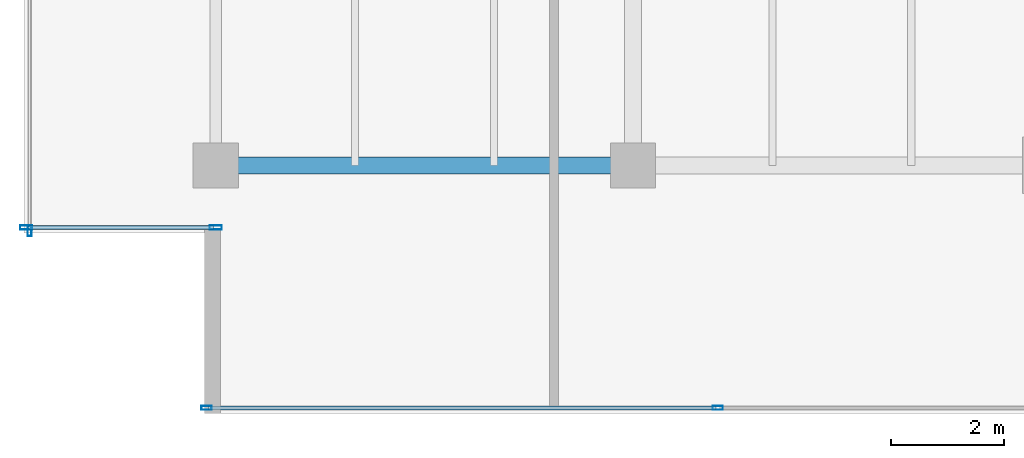
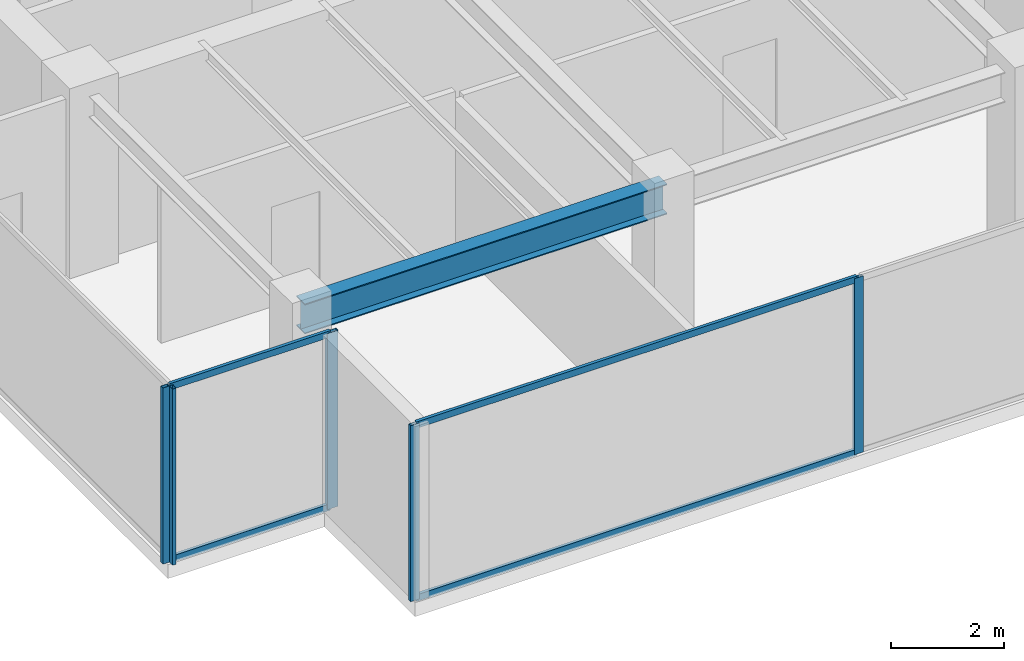
# One storey, part 5 of 33: 9 members, 1 beam, 3 elements without a shape of their own.
"""IFC4 building model written with IfcOpenShell, lengths in metres."""

import ifcopenshell
import ifcopenshell.guid

model = None  # the IFC model being written
_history = None  # IfcOwnerHistory: only IFC2X3 demands one
_inside = {}  # id of a spatial element -> (the spatial element, [elements in it])
_under = {}  # id of a project, library or spatial element -> (it, [spatial elements below it])
_declared = {}  # id of a project -> (the project, [libraries it declares])
_typed = {}  # id of a type object -> (the type object, [elements of that type])
_made_of = {}  # id of a material, layer set ... -> (it, [elements and type objects made of it])


def new_model(schema):
    """Start an empty IFC model of exactly this schema.

    Asked for "IFC4X3", IfcOpenShell would pick the latest addendum, in which some entities
    have other attributes; the version numbers below select the first issue.
    IFC2X3 requires an IfcOwnerHistory on every rooted entity: one is made here for all.
    """
    global model, _history
    if schema == "IFC4X3":
        model = ifcopenshell.file(schema_version=(4, 3, 0, 0))
    else:
        model = ifcopenshell.file(schema=schema)
    _inside.clear()
    _under.clear()
    _declared.clear()
    _typed.clear()
    _made_of.clear()
    _history = None
    if model.schema == "IFC2X3":
        org = make("IfcOrganization", Name="unknown")
        user = make(
            "IfcPersonAndOrganization",
            ThePerson=make("IfcPerson", FamilyName="unknown"),
            TheOrganization=org,
        )
        app = make(
            "IfcApplication",
            ApplicationDeveloper=org,
            Version="unknown",
            ApplicationFullName="unknown",
            ApplicationIdentifier="unknown",
        )
        _history = make(
            "IfcOwnerHistory",
            OwningUser=user,
            OwningApplication=app,
            ChangeAction="ADDED",
            CreationDate=0,
        )
    return model


def make(cls, **values):
    """One entity of the class cls with the attributes given. An attribute that is None is left unset."""
    return model.create_entity(
        cls, **{name: value for name, value in values.items() if value is not None}
    )


def rooted(cls, **values):
    """An entity with a GlobalId (a new one), such as an element, a storey or a relation."""
    return make(cls, GlobalId=ifcopenshell.guid.new(), OwnerHistory=_history, **values)


def si_unit(unit_type, name, prefix=None):
    """IfcSIUnit, for example si_unit("LENGTHUNIT", "METRE", prefix="MILLI")."""
    return make("IfcSIUnit", UnitType=unit_type, Prefix=prefix, Name=name)


def assignment(units):
    """IfcUnitAssignment: the units of a project."""
    return None if units is None else make("IfcUnitAssignment", Units=units)


def point(xyz):
    """IfcCartesianPoint."""
    return None if xyz is None else make("IfcCartesianPoint", Coordinates=xyz)


def direction(xyz):
    """IfcDirection."""
    return None if xyz is None else make("IfcDirection", DirectionRatios=xyz)


def frame(location, z_axis=None, x_axis=None):
    """IfcAxis2Placement3D, a coordinate frame: its origin and axes. An axis left out is left unset."""
    return make(
        "IfcAxis2Placement3D",
        Location=point(location),
        Axis=direction(z_axis),
        RefDirection=direction(x_axis),
    )


def frame_2d(location, x_axis=None):
    """IfcAxis2Placement2D, a coordinate frame in the plane: its origin and x axis."""
    return make(
        "IfcAxis2Placement2D", Location=point(location), RefDirection=direction(x_axis)
    )


def origin():
    """The frame at (0, 0, 0) with its axes left unset."""
    return frame((0.0, 0.0, 0.0))


def origin_2d():
    """The frame at (0, 0) in the plane with its x axis left unset."""
    return frame_2d((0.0, 0.0))


def place(relative_to, where):
    """IfcLocalPlacement: puts the frame where relative to a parent placement (None: the world)."""
    return make(
        "IfcLocalPlacement", PlacementRelTo=relative_to, RelativePlacement=where
    )


def context(
    kind, dimensions, precision=None, world=None, true_north=None, identifier=None
):
    """IfcGeometricRepresentationContext, for example the 3D "Model" context."""
    return make(
        "IfcGeometricRepresentationContext",
        ContextIdentifier=identifier,
        ContextType=kind,
        CoordinateSpaceDimension=dimensions,
        Precision=precision,
        WorldCoordinateSystem=world,
        TrueNorth=true_north,
    )


def subcontext(parent, identifier, kind, view, scale=None):
    """IfcGeometricRepresentationSubContext, for example "Body" below "Model"."""
    return make(
        "IfcGeometricRepresentationSubContext",
        ContextIdentifier=identifier,
        ContextType=kind,
        ParentContext=parent,
        TargetScale=scale,
        TargetView=view,
    )


def project(units=None, contexts=None):
    """IfcProject with its units and contexts."""
    return rooted(
        "IfcProject",
        Name="project",
        RepresentationContexts=contexts,
        UnitsInContext=assignment(units),
    )


def spatial(cls, under=None, at=None, **own):
    """A site, building, storey or space (cls), placed at a placement, below another one or the project."""
    s = rooted(cls, ObjectPlacement=at, **own)
    if under is not None:
        _under.setdefault(under.id(), (under, []))[1].append(s)
    return s


def profile(cls, at=None, kind="AREA", **sizes):
    """A parametric profile (cls). Its sizes go by their IFC names, for example OverallWidth=200.0."""
    return make(cls, ProfileType=kind, Position=at, **sizes)


def hollow_rectangle(**sizes):
    """IfcRectangleHollowProfileDef."""
    return profile("IfcRectangleHollowProfileDef", **sizes)


def i_section(**sizes):
    """IfcIShapeProfileDef."""
    return profile("IfcIShapeProfileDef", **sizes)


def extrude(swept, where, along, depth):
    """IfcExtrudedAreaSolid: the profile swept, set in the frame where, extruded along a direction by depth."""
    return make(
        "IfcExtrudedAreaSolid",
        SweptArea=swept,
        Position=where,
        ExtrudedDirection=direction(along),
        Depth=depth,
    )


def shape(context_of_items, identifier, shape_type, items):
    """IfcShapeRepresentation: the items that make up one representation, for example the "Body"."""
    return make(
        "IfcShapeRepresentation",
        ContextOfItems=context_of_items,
        RepresentationIdentifier=identifier,
        RepresentationType=shape_type,
        Items=items,
    )


def source(mapping_origin, context_of_items, identifier, shape_type, items):
    """IfcRepresentationMap: a shape defined once, which mapped items show again and again."""
    return make(
        "IfcRepresentationMap",
        MappingOrigin=mapping_origin,
        MappedRepresentation=shape(context_of_items, identifier, shape_type, items),
    )


def transform(
    local_origin,
    x_axis=None,
    y_axis=None,
    z_axis=None,
    scale=None,
    scale2=None,
    scale3=None,
    uniform=True,
):
    """IfcCartesianTransformationOperator3D, or its non-uniform kind. x_axis, y_axis, z_axis: its Axis1, 2, 3."""
    if uniform:
        return make(
            "IfcCartesianTransformationOperator3D",
            Axis1=direction(x_axis),
            Axis2=direction(y_axis),
            LocalOrigin=point(local_origin),
            Scale=scale,
            Axis3=direction(z_axis),
        )
    return make(
        "IfcCartesianTransformationOperator3DnonUniform",
        Axis1=direction(x_axis),
        Axis2=direction(y_axis),
        LocalOrigin=point(local_origin),
        Scale=scale,
        Axis3=direction(z_axis),
        Scale2=scale2,
        Scale3=scale3,
    )


def mapped(mapping_source, mapping_target):
    """IfcMappedItem: shows the shape of a source again, moved by a transform."""
    return make(
        "IfcMappedItem", MappingSource=mapping_source, MappingTarget=mapping_target
    )


def material(Name=None, Category=None):
    """IfcMaterial."""
    return make("IfcMaterial", Name=Name, Category=Category)


def layer(
    of_material, thickness, ventilated=None, Name=None, Category=None, Priority=None
):
    """IfcMaterialLayer: one layer of a wall or slab, of a material (None: an air gap)."""
    return make(
        "IfcMaterialLayer",
        Material=of_material,
        LayerThickness=thickness,
        IsVentilated=ventilated,
        Name=Name,
        Category=Category,
        Priority=Priority,
    )


def layer_set(layers, Name=None):
    """IfcMaterialLayerSet."""
    return make("IfcMaterialLayerSet", MaterialLayers=layers, LayerSetName=Name)


def material_profile(
    of_material, cross_section, Name=None, Category=None, Priority=None
):
    """IfcMaterialProfile: a cross section and its material."""
    return make(
        "IfcMaterialProfile",
        Name=Name,
        Material=of_material,
        Profile=cross_section,
        Priority=Priority,
        Category=Category,
    )


def profile_set(profiles, Name=None, composite=None):
    """IfcMaterialProfileSet."""
    return make(
        "IfcMaterialProfileSet",
        Name=Name,
        MaterialProfiles=profiles,
        CompositeProfile=composite,
    )


def made_of(thing, what):
    """Note that an element or type object is made of a material, layer set ...; save() writes the relation."""
    if what is not None:
        _made_of.setdefault(what.id(), (what, []))[1].append(thing)
    return thing


def type_object(cls, material=None, **own):
    """A type object (cls), such as IfcWallType, which elements share."""
    return made_of(rooted(cls, **own), material)


def type_shapes(of_type, sources):
    """Give a type object the sources (RepresentationMaps) that its elements show as mapped items."""
    of_type.RepresentationMaps = sources


def element(
    cls,
    number,
    at=None,
    inside=None,
    cuts=None,
    type_object=None,
    material=None,
    context=None,
    identifier="Body",
    shape_type=None,
    held_by="IfcProductDefinitionShape",
    body=None,
    shapes=None,
    **own,
):
    """One element of the class cls, such as IfcWall. Its Tag is "e" and its number.

    at: its placement. inside: the storey or other place that contains it. cuts: it is an
    opening in that element (IfcRelVoidsElement). A single representation is given by context,
    identifier, shape_type and body (its items); several are given by shapes. held_by: the class
    of the entity that holds the representations. save() writes the other relations.
    """
    e = rooted(cls, Tag="e%d" % number, ObjectPlacement=at, **own)
    if body is not None:
        shapes = [shape(context, identifier, shape_type, body)]
    if shapes is not None:
        e.Representation = make(held_by, Representations=shapes)
    if inside is not None:
        _inside.setdefault(inside.id(), (inside, []))[1].append(e)
    if cuts is not None:
        rooted(
            "IfcRelVoidsElement", RelatingBuildingElement=cuts, RelatedOpeningElement=e
        )
    if type_object is not None:
        _typed.setdefault(type_object.id(), (type_object, []))[1].append(e)
    return made_of(e, material)


def aggregate(whole, parts):
    """IfcRelAggregates: a whole, such as a stair, and the parts it consists of."""
    return rooted("IfcRelAggregates", RelatingObject=whole, RelatedObjects=parts)


def save(model, path):
    """Write the relations noted so far, then the file.

    IfcRelAggregates (storeys below a building ...), IfcRelContainedInSpatialStructure (elements
    in a storey), IfcRelDefinesByType, IfcRelAssociatesMaterial and IfcRelDeclares: one each for
    every whole, place, type object, material and project.
    """
    for whole, parts in _under.values():
        aggregate(whole, parts)
    for where, things in _inside.values():
        rooted(
            "IfcRelContainedInSpatialStructure",
            RelatedElements=things,
            RelatingStructure=where,
        )
    for kind, things in _typed.values():
        rooted("IfcRelDefinesByType", RelatedObjects=things, RelatingType=kind)
    for what, things in _made_of.values():
        rooted("IfcRelAssociatesMaterial", RelatedObjects=things, RelatingMaterial=what)
    for by, libraries in _declared.values():
        rooted("IfcRelDeclares", RelatingContext=by, RelatedDefinitions=libraries)
    model.write(path)


model = new_model("IFC4")

# Units and contexts
model_context = context("Model", 3, precision=1e-05, world=origin(), true_north=direction((0.0, 1.0)))
body_context = subcontext(model_context, "Body", "Model", "MODEL_VIEW")
ifc_project = project(units=[si_unit("LENGTHUNIT", "METRE"), si_unit("AREAUNIT", "SQUARE_METRE"), si_unit("VOLUMEUNIT", "CUBIC_METRE"), si_unit("PLANEANGLEUNIT", "RADIAN"), si_unit("MASSUNIT", "GRAM", prefix="KILO")], contexts=[model_context])

# Site, building, storey
site_placement = place(None, origin())
site = spatial("IfcSite", under=ifc_project, at=site_placement, CompositionType="ELEMENT")
building_placement = place(site_placement, origin())
building = spatial("IfcBuilding", under=site, at=building_placement, Name="Haelvirn Gate Laboratories", CompositionType="ELEMENT")
storey_placement = place(building_placement, frame((0.0, 0.0, 267.0)))
storey = spatial("IfcBuildingStorey", under=building, at=storey_placement, Name="L64", CompositionType="ELEMENT", Elevation=267.0)

# Beam
ifc_material_1 = material(Name="Steel SM355", Category="steel")
ifc_material_profile_1 = material_profile(ifc_material_1, i_section(OverallWidth=0.300048828125, OverallDepth=0.64990234375, WebThickness=0.012939453125, FlangeThickness=0.02197265625, at=origin_2d()), Name="H-650x300x13x22")
ifc_profile_set_1 = profile_set([ifc_material_profile_1], Name="Steel SM355")
beam_type = type_object("IfcBeamType", Name="BM-G-650", PredefinedType="BEAM", material=ifc_profile_set_1)
shared_shape_1 = source(origin(), body_context, "Body", "SweptSolid", [
    extrude(i_section(OverallWidth=0.300048828125, OverallDepth=0.64990234375, WebThickness=0.012939453125, FlangeThickness=0.02197265625, at=origin_2d()), origin(), (0.0, 0.0, 1.0), 7.400146484375),
])
type_shapes(beam_type, [shared_shape_1])
beam_placement = place(storey_placement, frame((7.39990234375, 7.0, 3.47509765625), z_axis=(1.0, 0.0, 0.0), x_axis=(0.0, 1.0, 0.0)))
element("IfcBeam", 1, at=beam_placement, inside=storey, type_object=beam_type, Name="L64 Primary Girder Y7.0 (7.4-14.8)", PredefinedType="BEAM", context=body_context, shape_type="MappedRepresentation", body=[
    mapped(shared_shape_1, transform((0.0, 0.0, 0.0), scale=1.0)),
])

# Curtain wall, members
ifc_material_2 = material(Name="Anodised bronze unitised aluminium & triple low-E glass", Category="aluminium")
ifc_layer_1 = layer(ifc_material_2, 0.181884765625, Name="CW-SYS-5")
ifc_layer_set_1 = layer_set([ifc_layer_1], Name="Anodised bronze unitised aluminium & triple low-E glass")
curtain_wall_type_1 = type_object("IfcCurtainWallType", Name="CW-SYS-5", PredefinedType="NOTDEFINED", material=ifc_layer_set_1)
curtain_wall_1_placement = place(storey_placement, origin())
curtain_wall_1 = element("IfcCurtainWall", 2, at=curtain_wall_1_placement, inside=storey, type_object=curtain_wall_type_1, Name="L64 Unitised Curtain Wall CW-L64-P0-E18-1", PredefinedType="NOTDEFINED")
ifc_material_3 = material(Name="Extruded aluminium 6063-T6 (anodised bronze)", Category="aluminium")
ifc_material_profile_2 = material_profile(ifc_material_3, hollow_rectangle(XDim=0.06494140625, YDim=0.139892578125, WallThickness=0.00390625, at=origin_2d()), Name="CWT-140x65x4")
ifc_profile_set_2 = profile_set([ifc_material_profile_2], Name="Extruded aluminium 6063-T6 (anodised bronze)")
member_type_1 = type_object("IfcMemberType", Name="CWT-T140", PredefinedType="USERDEFINED", material=ifc_profile_set_2)
shared_shape_2 = source(origin(), body_context, "Body", "SweptSolid", [
    extrude(hollow_rectangle(XDim=0.06494140625, YDim=0.139892578125, WallThickness=0.00390625, at=origin_2d()), origin(), (0.0, 0.0, 1.0), 3.280029296875),
])
member_1_placement = place(storey_placement, frame((4.080078125, 5.89990234375, 0.032470703125), z_axis=(1.0, 0.0, 0.0), x_axis=(0.0, 1.0, 0.0)))
member_1 = element("IfcMember", 3, at=member_1_placement, type_object=member_type_1, Name="CW5 transom 1.1", ObjectType="TRANSOM", PredefinedType="USERDEFINED", context=body_context, shape_type="MappedRepresentation", body=[
    mapped(shared_shape_2, transform((0.0, 0.0, 0.0), scale=1.0)),
])
member_2_placement = place(storey_placement, frame((4.080078125, 5.89990234375, 3.767578125), z_axis=(1.0, 0.0, 0.0), x_axis=(0.0, 1.0, 0.0)))
member_2 = element("IfcMember", 4, at=member_2_placement, type_object=member_type_1, Name="CW5 transom 1.2", ObjectType="TRANSOM", PredefinedType="USERDEFINED", context=body_context, shape_type="MappedRepresentation", body=[
    mapped(shared_shape_2, transform((0.0, 0.0, 0.0), scale=1.0)),
])

ifc_layer_2 = layer(ifc_material_2, 0.176025390625, Name="CW-SYS-4")
ifc_layer_set_2 = layer_set([ifc_layer_2], Name="Anodised bronze unitised aluminium & triple low-E glass")
curtain_wall_type_2 = type_object("IfcCurtainWallType", Name="CW-SYS-4", PredefinedType="NOTDEFINED", material=ifc_layer_set_2)
curtain_wall_2_placement = place(storey_placement, origin())
curtain_wall_2 = element("IfcCurtainWall", 5, at=curtain_wall_2_placement, inside=storey, type_object=curtain_wall_type_2, Name="L64 Unitised Curtain Wall CW-L64-P0-E00-1", PredefinedType="NOTDEFINED")
ifc_material_profile_3 = material_profile(ifc_material_3, hollow_rectangle(XDim=0.070068359375, YDim=0.179931640625, WallThickness=0.0048828125, at=origin_2d()), Name="CWM-180x70x5")
ifc_profile_set_3 = profile_set([ifc_material_profile_3], Name="Extruded aluminium 6063-T6 (anodised bronze)")
member_type_2 = type_object("IfcMemberType", Name="CWM-T180", PredefinedType="MULLION", material=ifc_profile_set_3)
shared_shape_3 = source(origin(), body_context, "Body", "SweptSolid", [
    extrude(hollow_rectangle(XDim=0.070068359375, YDim=0.179931640625, WallThickness=0.0048828125, at=origin_2d()), origin(), (0.0, 0.0, 1.0), 3.800048828125),
])
type_shapes(member_type_2, [shared_shape_3])
member_3_placement = place(storey_placement, frame((7.235107421875, 2.699951171875, 0.0), z_axis=(0.0, 0.0, 1.0), x_axis=(0.0, 1.0, 0.0)))
member_3 = element("IfcMember", 6, at=member_3_placement, type_object=member_type_2, Name="CW4 mullion 1", PredefinedType="MULLION", context=body_context, shape_type="MappedRepresentation", body=[
    mapped(shared_shape_3, transform((0.0, 0.0, 0.0), scale=1.0)),
])
member_4_placement = place(storey_placement, frame((16.300048828125, 2.699951171875, 0.0), z_axis=(0.0, 0.0, 1.0), x_axis=(0.0, 1.0, 0.0)))
member_4 = element("IfcMember", 7, at=member_4_placement, type_object=member_type_2, Name="CW4 mullion 2", PredefinedType="MULLION", context=body_context, shape_type="MappedRepresentation", body=[
    mapped(shared_shape_3, transform((0.0, 0.0, 0.0), scale=1.0)),
])

# Curtain wall, member
curtain_wall_3_placement = place(storey_placement, origin())
curtain_wall_3 = element("IfcCurtainWall", 8, at=curtain_wall_3_placement, inside=storey, type_object=curtain_wall_type_2, Name="L64 Unitised Curtain Wall CW-L64-P0-E17", PredefinedType="NOTDEFINED")
member_5_placement = place(storey_placement, frame((4.10009765625, 5.8349609375, 0.0), z_axis=(0.0, 0.0, 1.0), x_axis=(1.0, 0.0, 0.0)))
member_5 = element("IfcMember", 9, at=member_5_placement, type_object=member_type_2, Name="CW4 mullion 3", PredefinedType="MULLION", context=body_context, shape_type="MappedRepresentation", body=[
    mapped(shared_shape_3, transform((0.0, 0.0, 0.0), scale=1.0)),
])
aggregate(curtain_wall_3, [member_5])

# Member
shared_shape_4 = source(origin(), body_context, "Body", "SweptSolid", [
    extrude(hollow_rectangle(XDim=0.06494140625, YDim=0.139892578125, WallThickness=0.00390625, at=origin_2d()), origin(), (0.0, 0.0, 1.0), 8.994873046875),
])
type_shapes(member_type_1, [shared_shape_2, shared_shape_4])
member_6_placement = place(storey_placement, frame((7.27001953125, 2.699951171875, 0.032470703125), z_axis=(1.0, 0.0, 0.0), x_axis=(0.0, 1.0, 0.0)))
member_6 = element("IfcMember", 10, at=member_6_placement, type_object=member_type_1, Name="CW4 transom 1.1", ObjectType="TRANSOM", PredefinedType="USERDEFINED", context=body_context, shape_type="MappedRepresentation", body=[
    mapped(shared_shape_4, transform((0.0, 0.0, 0.0), scale=1.0)),
])

member_7_placement = place(storey_placement, frame((7.27001953125, 2.699951171875, 3.767578125), z_axis=(1.0, 0.0, 0.0), x_axis=(0.0, 1.0, 0.0)))
member_7 = element("IfcMember", 11, at=member_7_placement, type_object=member_type_1, Name="CW4 transom 1.2", ObjectType="TRANSOM", PredefinedType="USERDEFINED", context=body_context, shape_type="MappedRepresentation", body=[
    mapped(shared_shape_4, transform((0.0, 0.0, 0.0), scale=1.0)),
])

aggregate(curtain_wall_2, [member_3, member_4, member_6, member_7])

ifc_material_profile_4 = material_profile(ifc_material_3, hollow_rectangle(XDim=0.080078125, YDim=0.219970703125, WallThickness=0.006103515625, at=origin_2d()), Name="CWM-220x80x6")
ifc_profile_set_4 = profile_set([ifc_material_profile_4], Name="Extruded aluminium 6063-T6 (anodised bronze)")
member_type_3 = type_object("IfcMemberType", Name="CWM-T220", PredefinedType="MULLION", material=ifc_profile_set_4)
shared_shape_5 = source(origin(), body_context, "Body", "SweptSolid", [
    extrude(hollow_rectangle(XDim=0.080078125, YDim=0.219970703125, WallThickness=0.006103515625, at=origin_2d()), origin(), (0.0, 0.0, 1.0), 3.800048828125),
])
type_shapes(member_type_3, [shared_shape_5])
member_8_placement = place(storey_placement, frame((4.0400390625, 5.89990234375, 0.0), z_axis=(0.0, 0.0, 1.0), x_axis=(0.0, 1.0, 0.0)))
member_8 = element("IfcMember", 12, at=member_8_placement, type_object=member_type_3, Name="CW5 mullion 1", PredefinedType="MULLION", context=body_context, shape_type="MappedRepresentation", body=[
    mapped(shared_shape_5, transform((0.0, 0.0, 0.0), scale=1.0)),
])

member_9_placement = place(storey_placement, frame((7.39990234375, 5.89990234375, 0.0), z_axis=(0.0, 0.0, 1.0), x_axis=(0.0, 1.0, 0.0)))
member_9 = element("IfcMember", 13, at=member_9_placement, type_object=member_type_3, Name="CW5 mullion 2", PredefinedType="MULLION", context=body_context, shape_type="MappedRepresentation", body=[
    mapped(shared_shape_5, transform((0.0, 0.0, 0.0), scale=1.0)),
])

aggregate(curtain_wall_1, [member_8, member_9, member_1, member_2])

save(model, "model.ifc")
